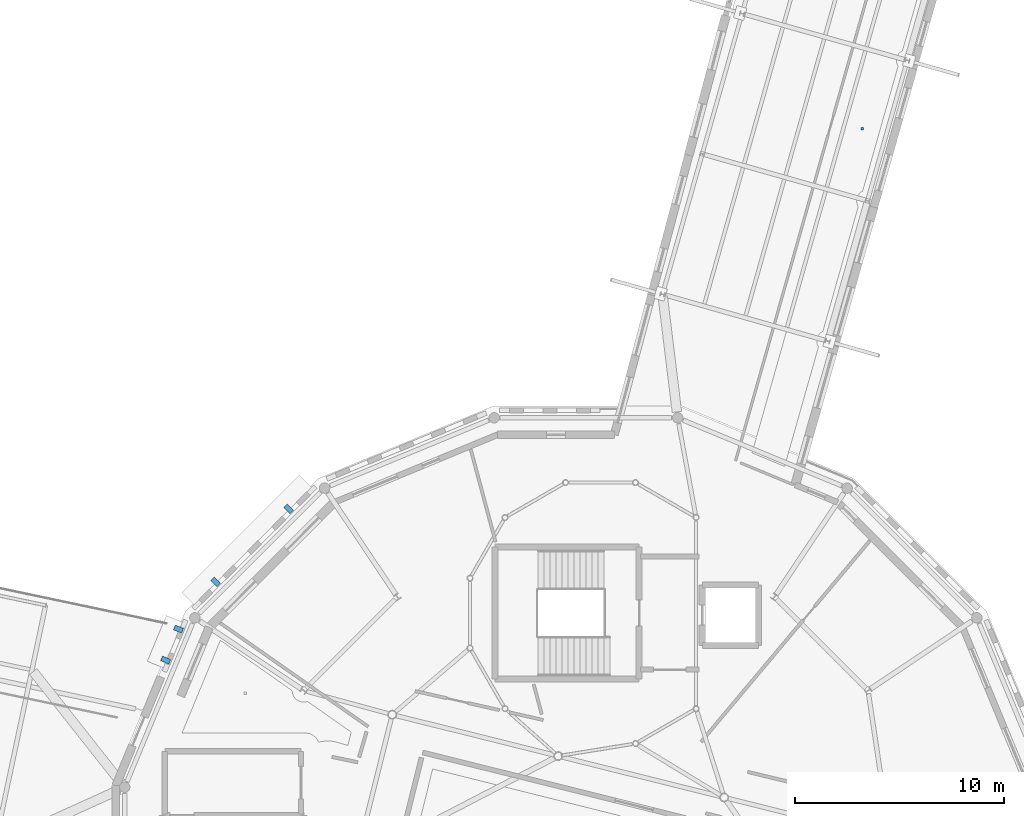
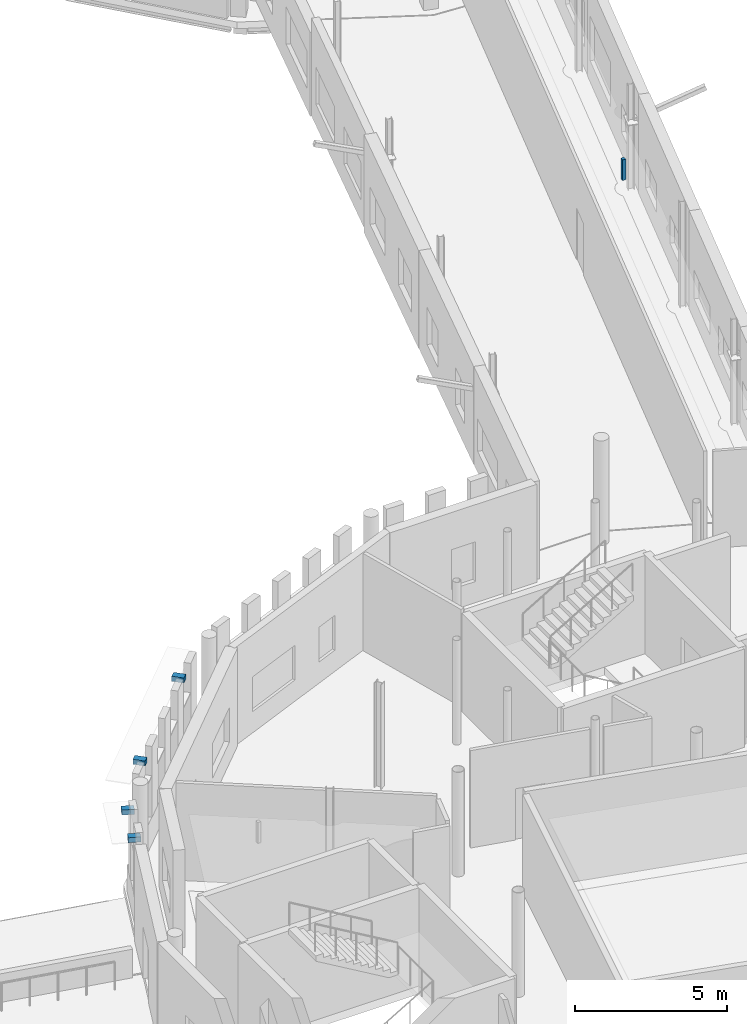
# One storey, part 82 of 90: 5 discrete accessories.
"""IFC4 building model written with IfcOpenShell, lengths in metres."""

from ifc_helpers import new_model, si_unit, direction, frame, origin, origin_2d, place, context, subcontext, project, spatial, rectangle, extrude, material, type_object, element, save


model = new_model("IFC4")

# Units and contexts
model_context = context("Model", 3, precision=1e-05, world=origin(), true_north=direction((0.0, 1.0)))
body_context = subcontext(model_context, "Body", "Model", "MODEL_VIEW")
ifc_project = project(units=[si_unit("LENGTHUNIT", "METRE"), si_unit("AREAUNIT", "SQUARE_METRE"), si_unit("VOLUMEUNIT", "CUBIC_METRE"), si_unit("PLANEANGLEUNIT", "RADIAN"), si_unit("MASSUNIT", "GRAM", prefix="KILO")], contexts=[model_context])

# Site, building, storey
site_placement = place(None, origin())
site = spatial("IfcSite", under=ifc_project, at=site_placement, CompositionType="ELEMENT")
building_placement = place(site_placement, origin())
building = spatial("IfcBuilding", under=site, at=building_placement, Name="Wrenclough Park School", CompositionType="ELEMENT")
storey_placement = place(building_placement, frame((0.0, 0.0, 8.39990234375)))
storey = spatial("IfcBuildingStorey", under=building, at=storey_placement, Name="L02", CompositionType="ELEMENT", Elevation=8.39990234375)

# Discrete accessories
ifc_material_1 = material(Name="Austenitic stainless steel Grade 1.4401", Category="steel")
discrete_accessory_type_1 = type_object("IfcDiscreteAccessoryType", Name="ENV-BRK-01", PredefinedType="BRACKET", material=ifc_material_1)
for number, where, z_axis, x_axis, name in (
    (1, (141.30859375, 44.18212890625, 3.5400390625), (0.0, 0.0, 1.0), (-0.707106781187, -0.707106781187, 0.0), "Brise-soleil stainless outrigger bracket 0079"),
    (2, (137.8173828125, 40.69091796875, 3.5400390625), (0.0, 0.0, 1.0), (-0.707106781187, -0.707106781187, 0.0), "Brise-soleil stainless outrigger bracket 0080"),
    (3, (136.048095703125, 38.433837890625, 3.5400390625), (0.0, 0.0, 1.0), (-0.38269828096, -0.923873381882, 0.0), "Brise-soleil stainless outrigger bracket 0081"),
    (4, (135.435546875, 36.954833984375, 3.5400390625), (0.0, 0.0, 1.0), (-0.38269828096, -0.923873381882, 0.0), "Brise-soleil stainless outrigger bracket 0082"),
):
    element("IfcDiscreteAccessory", number, at=place(storey_placement, frame(where, z_axis=z_axis, x_axis=x_axis)), inside=storey, type_object=discrete_accessory_type_1, Name=name, PredefinedType="BRACKET", context=body_context, shape_type="SweptSolid", body=[
        extrude(rectangle(XDim=0.239990234375, YDim=0.419921875, at=origin_2d()), origin(), (0.0, 0.0, 1.0), 0.199951171875),
    ])
ifc_material_2 = material(Name="Galvanised steel acoustic ceiling suspension hanger", Category="steel")
discrete_accessory_type_2 = type_object("IfcDiscreteAccessoryType", Name="INT-BRK-HGR", PredefinedType="BRACKET", material=ifc_material_2)
discrete_accessory_placement = place(storey_placement, frame((168.688720703125, 62.32666015625, 3.090087890625), z_axis=(0.0, 0.0, 1.0), x_axis=(1.0, 0.0, 0.0)))
element("IfcDiscreteAccessory", 5, at=discrete_accessory_placement, inside=storey, type_object=discrete_accessory_type_2, Name="Acoustic ceiling hanger bracket 0062", PredefinedType="BRACKET", context=body_context, shape_type="SweptSolid", body=[
    extrude(rectangle(XDim=0.1201171875, YDim=0.1201171875, at=origin_2d()), origin(), (0.0, 0.0, 1.0), 0.8349609375),
])

save(model, "model.ifc")
